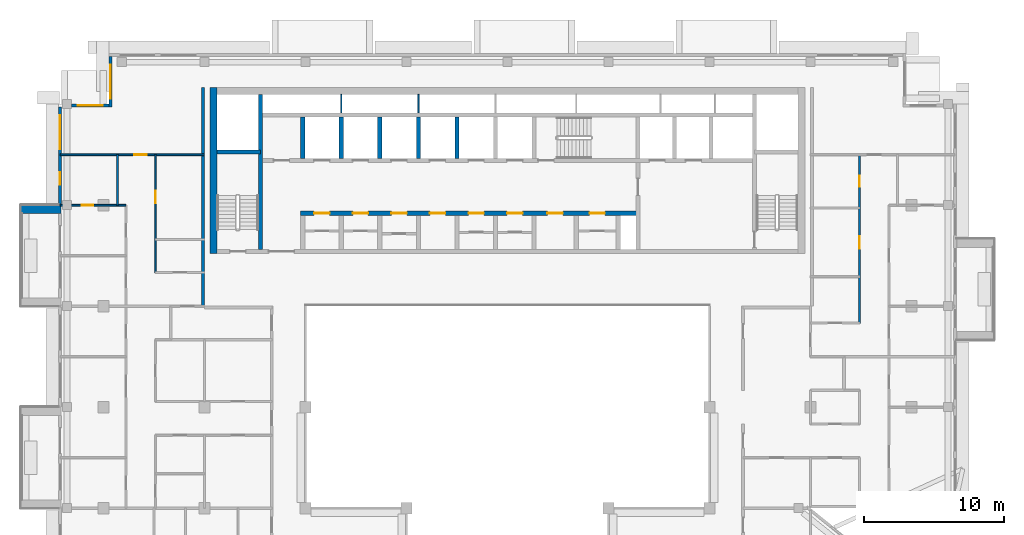
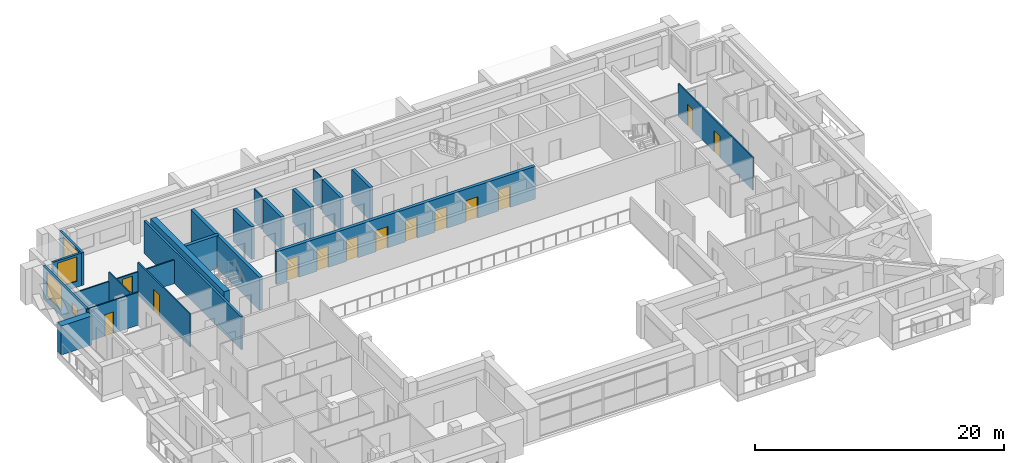
# One storey, part 10 of 19: 21 walls, 13 doors, 4 windows, 17 openings.
"""IFC4 building model written with IfcOpenShell, lengths in metres."""

import ifcopenshell
import ifcopenshell.guid

model = None  # the IFC model being written
_history = None  # IfcOwnerHistory: only IFC2X3 demands one
_inside = {}  # id of a spatial element -> (the spatial element, [elements in it])
_under = {}  # id of a project, library or spatial element -> (it, [spatial elements below it])
_declared = {}  # id of a project -> (the project, [libraries it declares])
_typed = {}  # id of a type object -> (the type object, [elements of that type])
_made_of = {}  # id of a material, layer set ... -> (it, [elements and type objects made of it])


def new_model(schema):
    """Start an empty IFC model of exactly this schema.

    Asked for "IFC4X3", IfcOpenShell would pick the latest addendum, in which some entities
    have other attributes; the version numbers below select the first issue.
    IFC2X3 requires an IfcOwnerHistory on every rooted entity: one is made here for all.
    """
    global model, _history
    if schema == "IFC4X3":
        model = ifcopenshell.file(schema_version=(4, 3, 0, 0))
    else:
        model = ifcopenshell.file(schema=schema)
    _inside.clear()
    _under.clear()
    _declared.clear()
    _typed.clear()
    _made_of.clear()
    _history = None
    if model.schema == "IFC2X3":
        org = make("IfcOrganization", Name="unknown")
        user = make(
            "IfcPersonAndOrganization",
            ThePerson=make("IfcPerson", FamilyName="unknown"),
            TheOrganization=org,
        )
        app = make(
            "IfcApplication",
            ApplicationDeveloper=org,
            Version="unknown",
            ApplicationFullName="unknown",
            ApplicationIdentifier="unknown",
        )
        _history = make(
            "IfcOwnerHistory",
            OwningUser=user,
            OwningApplication=app,
            ChangeAction="ADDED",
            CreationDate=0,
        )
    return model


def make(cls, **values):
    """One entity of the class cls with the attributes given. An attribute that is None is left unset."""
    return model.create_entity(
        cls, **{name: value for name, value in values.items() if value is not None}
    )


def rooted(cls, **values):
    """An entity with a GlobalId (a new one), such as an element, a storey or a relation."""
    return make(cls, GlobalId=ifcopenshell.guid.new(), OwnerHistory=_history, **values)


def si_unit(unit_type, name, prefix=None):
    """IfcSIUnit, for example si_unit("LENGTHUNIT", "METRE", prefix="MILLI")."""
    return make("IfcSIUnit", UnitType=unit_type, Prefix=prefix, Name=name)


def assignment(units):
    """IfcUnitAssignment: the units of a project."""
    return None if units is None else make("IfcUnitAssignment", Units=units)


def point(xyz):
    """IfcCartesianPoint."""
    return None if xyz is None else make("IfcCartesianPoint", Coordinates=xyz)


def direction(xyz):
    """IfcDirection."""
    return None if xyz is None else make("IfcDirection", DirectionRatios=xyz)


def frame(location, z_axis=None, x_axis=None):
    """IfcAxis2Placement3D, a coordinate frame: its origin and axes. An axis left out is left unset."""
    return make(
        "IfcAxis2Placement3D",
        Location=point(location),
        Axis=direction(z_axis),
        RefDirection=direction(x_axis),
    )


def frame_2d(location, x_axis=None):
    """IfcAxis2Placement2D, a coordinate frame in the plane: its origin and x axis."""
    return make(
        "IfcAxis2Placement2D", Location=point(location), RefDirection=direction(x_axis)
    )


def origin():
    """The frame at (0, 0, 0) with its axes left unset."""
    return frame((0.0, 0.0, 0.0))


def place(relative_to, where):
    """IfcLocalPlacement: puts the frame where relative to a parent placement (None: the world)."""
    return make(
        "IfcLocalPlacement", PlacementRelTo=relative_to, RelativePlacement=where
    )


def context(
    kind, dimensions, precision=None, world=None, true_north=None, identifier=None
):
    """IfcGeometricRepresentationContext, for example the 3D "Model" context."""
    return make(
        "IfcGeometricRepresentationContext",
        ContextIdentifier=identifier,
        ContextType=kind,
        CoordinateSpaceDimension=dimensions,
        Precision=precision,
        WorldCoordinateSystem=world,
        TrueNorth=true_north,
    )


def subcontext(parent, identifier, kind, view, scale=None):
    """IfcGeometricRepresentationSubContext, for example "Body" below "Model"."""
    return make(
        "IfcGeometricRepresentationSubContext",
        ContextIdentifier=identifier,
        ContextType=kind,
        ParentContext=parent,
        TargetScale=scale,
        TargetView=view,
    )


def project(units=None, contexts=None):
    """IfcProject with its units and contexts."""
    return rooted(
        "IfcProject",
        Name="project",
        RepresentationContexts=contexts,
        UnitsInContext=assignment(units),
    )


def spatial(cls, under=None, at=None, **own):
    """A site, building, storey or space (cls), placed at a placement, below another one or the project."""
    s = rooted(cls, ObjectPlacement=at, **own)
    if under is not None:
        _under.setdefault(under.id(), (under, []))[1].append(s)
    return s


def profile(cls, at=None, kind="AREA", **sizes):
    """A parametric profile (cls). Its sizes go by their IFC names, for example OverallWidth=200.0."""
    return make(cls, ProfileType=kind, Position=at, **sizes)


def rectangle(**sizes):
    """IfcRectangleProfileDef."""
    return profile("IfcRectangleProfileDef", **sizes)


def extrude(swept, where, along, depth):
    """IfcExtrudedAreaSolid: the profile swept, set in the frame where, extruded along a direction by depth."""
    return make(
        "IfcExtrudedAreaSolid",
        SweptArea=swept,
        Position=where,
        ExtrudedDirection=direction(along),
        Depth=depth,
    )


def shape(context_of_items, identifier, shape_type, items):
    """IfcShapeRepresentation: the items that make up one representation, for example the "Body"."""
    return make(
        "IfcShapeRepresentation",
        ContextOfItems=context_of_items,
        RepresentationIdentifier=identifier,
        RepresentationType=shape_type,
        Items=items,
    )


def material(Name=None, Category=None):
    """IfcMaterial."""
    return make("IfcMaterial", Name=Name, Category=Category)


def layer(
    of_material, thickness, ventilated=None, Name=None, Category=None, Priority=None
):
    """IfcMaterialLayer: one layer of a wall or slab, of a material (None: an air gap)."""
    return make(
        "IfcMaterialLayer",
        Material=of_material,
        LayerThickness=thickness,
        IsVentilated=ventilated,
        Name=Name,
        Category=Category,
        Priority=Priority,
    )


def layer_set(layers, Name=None):
    """IfcMaterialLayerSet."""
    return make("IfcMaterialLayerSet", MaterialLayers=layers, LayerSetName=Name)


def made_of(thing, what):
    """Note that an element or type object is made of a material, layer set ...; save() writes the relation."""
    if what is not None:
        _made_of.setdefault(what.id(), (what, []))[1].append(thing)
    return thing


def type_object(cls, material=None, **own):
    """A type object (cls), such as IfcWallType, which elements share."""
    return made_of(rooted(cls, **own), material)


def element(
    cls,
    number,
    at=None,
    inside=None,
    cuts=None,
    type_object=None,
    material=None,
    context=None,
    identifier="Body",
    shape_type=None,
    held_by="IfcProductDefinitionShape",
    body=None,
    shapes=None,
    **own,
):
    """One element of the class cls, such as IfcWall. Its Tag is "e" and its number.

    at: its placement. inside: the storey or other place that contains it. cuts: it is an
    opening in that element (IfcRelVoidsElement). A single representation is given by context,
    identifier, shape_type and body (its items); several are given by shapes. held_by: the class
    of the entity that holds the representations. save() writes the other relations.
    """
    e = rooted(cls, Tag="e%d" % number, ObjectPlacement=at, **own)
    if body is not None:
        shapes = [shape(context, identifier, shape_type, body)]
    if shapes is not None:
        e.Representation = make(held_by, Representations=shapes)
    if inside is not None:
        _inside.setdefault(inside.id(), (inside, []))[1].append(e)
    if cuts is not None:
        rooted(
            "IfcRelVoidsElement", RelatingBuildingElement=cuts, RelatedOpeningElement=e
        )
    if type_object is not None:
        _typed.setdefault(type_object.id(), (type_object, []))[1].append(e)
    return made_of(e, material)


def fill(opening, filler):
    """IfcRelFillsElement: the door or window that sits in an opening."""
    return rooted(
        "IfcRelFillsElement",
        RelatingOpeningElement=opening,
        RelatedBuildingElement=filler,
    )


def aggregate(whole, parts):
    """IfcRelAggregates: a whole, such as a stair, and the parts it consists of."""
    return rooted("IfcRelAggregates", RelatingObject=whole, RelatedObjects=parts)


def save(model, path):
    """Write the relations noted so far, then the file.

    IfcRelAggregates (storeys below a building ...), IfcRelContainedInSpatialStructure (elements
    in a storey), IfcRelDefinesByType, IfcRelAssociatesMaterial and IfcRelDeclares: one each for
    every whole, place, type object, material and project.
    """
    for whole, parts in _under.values():
        aggregate(whole, parts)
    for where, things in _inside.values():
        rooted(
            "IfcRelContainedInSpatialStructure",
            RelatedElements=things,
            RelatingStructure=where,
        )
    for kind, things in _typed.values():
        rooted("IfcRelDefinesByType", RelatedObjects=things, RelatingType=kind)
    for what, things in _made_of.values():
        rooted("IfcRelAssociatesMaterial", RelatedObjects=things, RelatingMaterial=what)
    for by, libraries in _declared.values():
        rooted("IfcRelDeclares", RelatingContext=by, RelatedDefinitions=libraries)
    model.write(path)


model = new_model("IFC4")

# Units and contexts
model_context = context("Model", 3, precision=1e-05, world=origin(), true_north=direction((0.0, 1.0)))
body_context = subcontext(model_context, "Body", "Model", "MODEL_VIEW")
ifc_project = project(units=[si_unit("LENGTHUNIT", "METRE"), si_unit("AREAUNIT", "SQUARE_METRE"), si_unit("VOLUMEUNIT", "CUBIC_METRE"), si_unit("PLANEANGLEUNIT", "RADIAN"), si_unit("MASSUNIT", "GRAM", prefix="KILO")], contexts=[model_context])

# Site, building, storey
site_placement = place(None, origin())
site = spatial("IfcSite", under=ifc_project, at=site_placement, CompositionType="ELEMENT")
building_placement = place(site_placement, origin())
building = spatial("IfcBuilding", under=site, at=building_placement, Name="Saffron Iwan Residences", CompositionType="ELEMENT")
storey_placement = place(building_placement, frame((0.0, 0.0, 246.5)))
storey = spatial("IfcBuildingStorey", under=building, at=storey_placement, Name="L66", CompositionType="ELEMENT", Elevation=246.5)

# Wall
ifc_material_1 = material(Name="Concrete C50/60 white painted", Category="concrete")
ifc_layer_1 = layer(ifc_material_1, 0.60009765625)
ifc_layer_set_1 = layer_set([ifc_layer_1], Name="Concrete C50/60 white painted")
wall_type_1 = type_object("IfcWallType", Name="BALCONY FIN 600", PredefinedType="SOLIDWALL", material=ifc_layer_set_1)
wall_1_placement = place(storey_placement, frame((18.574951171875, 69.300048828125, 0.0), z_axis=(0.0, 0.0, 1.0), x_axis=(-1.0, 0.0, 0.0)))
element("IfcWall", 1, at=wall_1_placement, inside=storey, type_object=wall_type_1, Name="Balcony fin L66 F8-0a", PredefinedType="SOLIDWALL", context=body_context, shape_type="SweptSolid", body=[
    extrude(rectangle(XDim=2.875, YDim=0.60009765625, at=frame_2d((1.4375, 0.0))), origin(), (0.0, 0.0, 1.0), 2.85009765625),
])

# Wall, opening, window
ifc_material_2 = material(Name="Concrete C40/50", Category="concrete")
ifc_layer_2 = layer(ifc_material_2, 0.199951171875)
ifc_layer_set_2 = layer_set([ifc_layer_2], Name="Concrete C40/50")
wall_type_2 = type_object("IfcWallType", Name="EXTERNAL WALL 200", PredefinedType="SOLIDWALL", material=ifc_layer_set_2)
wall_2_placement = place(storey_placement, frame((22.10009765625, 80.199951171875, 0.0), z_axis=(0.0, 0.0, 1.0), x_axis=(0.0, -1.0, 0.0)))
wall_2 = element("IfcWall", 2, at=wall_2_placement, inside=storey, type_object=wall_type_2, Name="External wall L66 F6.0", PredefinedType="SOLIDWALL", context=body_context, shape_type="SweptSolid", body=[
    extrude(rectangle(XDim=3.599853515625, YDim=0.199951171875, at=frame_2d((1.7998046875, 0.0))), origin(), (0.0, 0.0, 1.0), 3.219970703125),
])
opening_1_placement = place(wall_2_placement, frame((0.60009765625, 0.0, 0.60009765625)))
opening_1 = element("IfcOpeningElement", 3, at=opening_1_placement, cuts=wall_2, Name="Opening W1", PredefinedType="OPENING", context=body_context, shape_type="SweptSolid", body=[
    extrude(rectangle(XDim=2.39990234375, YDim=2.39990234375, at=frame_2d((1.199951171875, 1.199951171875))), frame((0.0, 0.10986328125, 0.0), z_axis=(0.0, -1.0, 0.0), x_axis=(1.0, 0.0, 0.0)), (0.0, 0.0, 1.0), 0.219970703125),
])
ifc_material_3 = material(Name="Clear glass, laminated double glazed", Category="glass")
window_type_1 = type_object("IfcWindowType", Name="WINDOW 2400 x 2400", PartitioningType="DOUBLE_PANEL_VERTICAL", PredefinedType="WINDOW", material=ifc_material_3)
window_1_placement = place(opening_1_placement, origin())
window_1 = element("IfcWindow", 4, at=window_1_placement, inside=storey, type_object=window_type_1, Name="Window L66 F6.0", OverallHeight=2.39990234375, OverallWidth=2.39990234375, PartitioningType="DOUBLE_PANEL_VERTICAL", PredefinedType="WINDOW", context=body_context, shape_type="SweptSolid", body=[
    extrude(rectangle(XDim=2.39990234375, YDim=2.39990234375, at=frame_2d((1.199951171875, 1.199951171875))), frame((0.0, 0.030029296875, 0.0), z_axis=(0.0, -1.0, 0.0), x_axis=(1.0, 0.0, 0.0)), (0.0, 0.0, 1.0), 0.06005859375),
])
fill(opening_1, window_1)

wall_3_placement = place(storey_placement, frame((22.0, 76.699951171875, 0.0), z_axis=(0.0, 0.0, 1.0), x_axis=(-1.0, 0.0, 0.0)))
wall_3 = element("IfcWall", 5, at=wall_3_placement, inside=storey, type_object=wall_type_2, Name="External wall L66 F7.0", PredefinedType="SOLIDWALL", context=body_context, shape_type="SweptSolid", body=[
    extrude(rectangle(XDim=2.675048828125, YDim=0.199951171875, at=frame_2d((1.33740234375, 0.0))), origin(), (0.0, 0.0, 1.0), 3.219970703125),
])
opening_2_placement = place(wall_3_placement, frame((0.4375, 0.0, 0.60009765625)))
opening_2 = element("IfcOpeningElement", 6, at=opening_2_placement, cuts=wall_3, Name="Opening W8", PredefinedType="OPENING", context=body_context, shape_type="SweptSolid", body=[
    extrude(rectangle(XDim=1.800048828125, YDim=2.39990234375, at=frame_2d((0.89990234375, 1.199951171875))), frame((0.0, 0.10986328125, 0.0), z_axis=(0.0, -1.0, 0.0), x_axis=(1.0, 0.0, 0.0)), (0.0, 0.0, 1.0), 0.219970703125),
])
window_type_2 = type_object("IfcWindowType", Name="WINDOW 1800 x 2400", PartitioningType="DOUBLE_PANEL_VERTICAL", PredefinedType="WINDOW", material=ifc_material_3)
window_2_placement = place(opening_2_placement, origin())
window_2 = element("IfcWindow", 7, at=window_2_placement, inside=storey, type_object=window_type_2, Name="Window L66 F7.0", OverallHeight=2.39990234375, OverallWidth=1.800048828125, PartitioningType="DOUBLE_PANEL_VERTICAL", PredefinedType="WINDOW", context=body_context, shape_type="SweptSolid", body=[
    extrude(rectangle(XDim=1.800048828125, YDim=2.39990234375, at=frame_2d((0.89990234375, 1.199951171875))), frame((0.0, 0.030029296875, 0.0), z_axis=(0.0, -1.0, 0.0), x_axis=(1.0, 0.0, 0.0)), (0.0, 0.0, 1.0), 0.06005859375),
])
fill(opening_2, window_2)

# Wall, openings, windows
wall_4_placement = place(storey_placement, frame((18.5, 76.60009765625, 0.0), z_axis=(0.0, 0.0, 1.0), x_axis=(0.0, -1.0, 0.0)))
wall_4 = element("IfcWall", 8, at=wall_4_placement, inside=storey, type_object=wall_type_2, Name="External wall L66 F8.0", PredefinedType="SOLIDWALL", context=body_context, shape_type="SweptSolid", body=[
    extrude(rectangle(XDim=7.0, YDim=0.199951171875, at=frame_2d((3.5, 0.0))), origin(), (0.0, 0.0, 1.0), 3.219970703125),
])
opening_3_placement = place(wall_4_placement, frame((4.64990234375, 0.0, 1.5)))
opening_3 = element("IfcOpeningElement", 9, at=opening_3_placement, cuts=wall_4, Name="Opening W6", PredefinedType="OPENING", context=body_context, shape_type="SweptSolid", body=[
    extrude(rectangle(XDim=0.89990234375, YDim=0.89990234375, at=frame_2d((0.449951171875, 0.449951171875))), frame((0.0, 0.10986328125, 0.0), z_axis=(0.0, -1.0, 0.0), x_axis=(1.0, 0.0, 0.0)), (0.0, 0.0, 1.0), 0.219970703125),
])
opening_4_placement = place(wall_4_placement, frame((0.60009765625, 0.0, 0.60009765625)))
opening_4 = element("IfcOpeningElement", 10, at=opening_4_placement, cuts=wall_4, Name="Opening W1", PredefinedType="OPENING", context=body_context, shape_type="SweptSolid", body=[
    extrude(rectangle(XDim=2.39990234375, YDim=2.39990234375, at=frame_2d((1.199951171875, 1.199951171875))), frame((0.0, 0.10986328125, 0.0), z_axis=(0.0, -1.0, 0.0), x_axis=(1.0, 0.0, 0.0)), (0.0, 0.0, 1.0), 0.219970703125),
])
window_3_placement = place(opening_4_placement, origin())
window_3 = element("IfcWindow", 11, at=window_3_placement, inside=storey, type_object=window_type_1, Name="Window L66 F8.1", OverallHeight=2.39990234375, OverallWidth=2.39990234375, PartitioningType="DOUBLE_PANEL_VERTICAL", PredefinedType="WINDOW", context=body_context, shape_type="SweptSolid", body=[
    extrude(rectangle(XDim=2.39990234375, YDim=2.39990234375, at=frame_2d((1.199951171875, 1.199951171875))), frame((0.0, 0.030029296875, 0.0), z_axis=(0.0, -1.0, 0.0), x_axis=(1.0, 0.0, 0.0)), (0.0, 0.0, 1.0), 0.06005859375),
])
fill(opening_4, window_3)
window_type_3 = type_object("IfcWindowType", Name="WINDOW 900 x 900 BATH", PartitioningType="SINGLE_PANEL", PredefinedType="WINDOW", material=ifc_material_3)
window_4_placement = place(opening_3_placement, origin())
window_4 = element("IfcWindow", 12, at=window_4_placement, inside=storey, type_object=window_type_3, Name="Window L66 F8.0", OverallHeight=0.89990234375, OverallWidth=0.89990234375, PartitioningType="SINGLE_PANEL", PredefinedType="WINDOW", context=body_context, shape_type="SweptSolid", body=[
    extrude(rectangle(XDim=0.89990234375, YDim=0.89990234375, at=frame_2d((0.449951171875, 0.449951171875))), frame((0.0, 0.030029296875, 0.0), z_axis=(0.0, -1.0, 0.0), x_axis=(1.0, 0.0, 0.0)), (0.0, 0.0, 1.0), 0.06005859375),
])
fill(opening_3, window_4)

# Wall, opening, door
ifc_material_4 = material(Name="Gypsum board partition")
ifc_layer_3 = layer(ifc_material_4, 0.1201171875)
ifc_layer_set_3 = layer_set([ifc_layer_3], Name="Gypsum board partition")
wall_type_3 = type_object("IfcWallType", Name="Flat partition 120", PredefinedType="PARTITIONING", material=ifc_layer_set_3)
wall_5_placement = place(storey_placement, frame((18.52490234375, 69.60009765625, 0.0), z_axis=(0.0, 0.0, 1.0), x_axis=(1.0, 0.0, 0.0)))
wall_5 = element("IfcWall", 13, at=wall_5_placement, inside=storey, type_object=wall_type_3, Name="W-L66-PART-h69.6-18.525", PredefinedType="PARTITIONING", context=body_context, shape_type="SweptSolid", body=[
    extrude(rectangle(XDim=4.675048828125, YDim=0.1201171875, at=frame_2d((2.33740234375, 0.0))), origin(), (0.0, 0.0, 1.0), 3.219970703125),
])
opening_5_placement = place(wall_5_placement, frame((1.53759765625, 0.0, 0.0)))
opening_5 = element("IfcOpeningElement", 14, at=opening_5_placement, cuts=wall_5, Name="Opening FD3", PredefinedType="OPENING", context=body_context, shape_type="SweptSolid", body=[
    extrude(rectangle(XDim=0.800048828125, YDim=2.10009765625, at=frame_2d((0.39990234375, 1.050048828125))), frame((0.0, 0.070068359375, 0.0), z_axis=(0.0, -1.0, 0.0), x_axis=(1.0, 0.0, 0.0)), (0.0, 0.0, 1.0), 0.14013671875),
])
ifc_material_5 = material(Name="Timber door", Category="wood")
door_type_1 = type_object("IfcDoorType", Name="Bathroom door 800", OperationType="NOTDEFINED", PredefinedType="DOOR", material=ifc_material_5)
door_1_placement = place(opening_5_placement, origin())
door_1 = element("IfcDoor", 15, at=door_1_placement, inside=storey, type_object=door_type_1, Name="Door L66-027", OperationType="SINGLE_SWING_RIGHT", OverallHeight=2.10009765625, OverallWidth=0.800048828125, PredefinedType="DOOR", context=body_context, shape_type="SweptSolid", body=[
    extrude(rectangle(XDim=0.800048828125, YDim=2.10009765625, at=frame_2d((0.39990234375, 1.050048828125))), frame((0.0, 0.02490234375, 0.0), z_axis=(0.0, -1.0, 0.0), x_axis=(1.0, 0.0, 0.0)), (0.0, 0.0, 1.0), 0.050048828125),
])
fill(opening_5, door_1)

wall_6_placement = place(storey_placement, frame((18.52490234375, 73.199951171875, 0.0), z_axis=(0.0, 0.0, 1.0), x_axis=(1.0, 0.0, 0.0)))
wall_6 = element("IfcWall", 16, at=wall_6_placement, inside=storey, type_object=wall_type_3, Name="W-L66-PART-h73.2-18.525", PredefinedType="PARTITIONING", context=body_context, shape_type="SweptSolid", body=[
    extrude(rectangle(XDim=10.275146484375, YDim=0.1201171875, at=frame_2d((5.1376953125, 0.0))), origin(), (0.0, 0.0, 1.0), 2.320068359375),
])
opening_6_placement = place(wall_6_placement, frame((5.27490234375, 0.0, 0.0)))
opening_6 = element("IfcOpeningElement", 17, at=opening_6_placement, cuts=wall_6, Name="Opening FD2", PredefinedType="OPENING", context=body_context, shape_type="SweptSolid", body=[
    extrude(rectangle(XDim=0.89990234375, YDim=2.10009765625, at=frame_2d((0.449951171875, 1.050048828125))), frame((0.0, 0.070068359375, 0.0), z_axis=(0.0, -1.0, 0.0), x_axis=(1.0, 0.0, 0.0)), (0.0, 0.0, 1.0), 0.14013671875),
])
door_type_2 = type_object("IfcDoorType", Name="Flat door 900", OperationType="NOTDEFINED", PredefinedType="DOOR", material=ifc_material_5)
door_2_placement = place(opening_6_placement, origin())
door_2 = element("IfcDoor", 18, at=door_2_placement, inside=storey, type_object=door_type_2, Name="Door L66-028", OperationType="SINGLE_SWING_RIGHT", OverallHeight=2.10009765625, OverallWidth=0.89990234375, PredefinedType="DOOR", context=body_context, shape_type="SweptSolid", body=[
    extrude(rectangle(XDim=0.89990234375, YDim=2.10009765625, at=frame_2d((0.449951171875, 1.050048828125))), frame((0.0, 0.02490234375, 0.0), z_axis=(0.0, -1.0, 0.0), x_axis=(1.0, 0.0, 0.0)), (0.0, 0.0, 1.0), 0.050048828125),
])
fill(opening_6, door_2)

# Wall
wall_7_placement = place(storey_placement, frame((22.60009765625, 69.60009765625, 0.0), z_axis=(0.0, 0.0, 1.0), x_axis=(0.0, 1.0, 0.0)))
element("IfcWall", 19, at=wall_7_placement, inside=storey, type_object=wall_type_3, Name="W-L66-PART-v22.6-69.6", PredefinedType="PARTITIONING", context=body_context, shape_type="SweptSolid", body=[
    extrude(rectangle(XDim=3.599853515625, YDim=0.1201171875, at=frame_2d((1.7998046875, 0.0))), origin(), (0.0, 0.0, 1.0), 3.219970703125),
])

# Wall, opening, door
wall_8_placement = place(storey_placement, frame((25.300048828125, 64.800048828125, 0.0), z_axis=(0.0, 0.0, 1.0), x_axis=(0.0, 1.0, 0.0)))
wall_8 = element("IfcWall", 20, at=wall_8_placement, inside=storey, type_object=wall_type_3, Name="W-L66-PART-v25.3-64.8", PredefinedType="PARTITIONING", context=body_context, shape_type="SweptSolid", body=[
    extrude(rectangle(XDim=8.39990234375, YDim=0.1201171875, at=frame_2d((4.199951171875, 0.0))), origin(), (0.0, 0.0, 1.0), 3.219970703125),
])
opening_7_placement = place(wall_8_placement, frame((4.925048828125, 0.0, 0.0)))
opening_7 = element("IfcOpeningElement", 21, at=opening_7_placement, cuts=wall_8, Name="Opening FD2", PredefinedType="OPENING", context=body_context, shape_type="SweptSolid", body=[
    extrude(rectangle(XDim=0.89990234375, YDim=2.10009765625, at=frame_2d((0.449951171875, 1.050048828125))), frame((0.0, 0.070068359375, 0.0), z_axis=(0.0, -1.0, 0.0), x_axis=(1.0, 0.0, 0.0)), (0.0, 0.0, 1.0), 0.14013671875),
])
door_3_placement = place(opening_7_placement, origin())
door_3 = element("IfcDoor", 22, at=door_3_placement, inside=storey, type_object=door_type_2, Name="Door L66-030", OperationType="SINGLE_SWING_LEFT", OverallHeight=2.10009765625, OverallWidth=0.89990234375, PredefinedType="DOOR", context=body_context, shape_type="SweptSolid", body=[
    extrude(rectangle(XDim=0.89990234375, YDim=2.10009765625, at=frame_2d((0.449951171875, 1.050048828125))), frame((0.0, 0.02490234375, 0.0), z_axis=(0.0, -1.0, 0.0), x_axis=(1.0, 0.0, 0.0)), (0.0, 0.0, 1.0), 0.050048828125),
])
fill(opening_7, door_3)

# Wall, openings, doors
wall_9_placement = place(storey_placement, frame((75.5, 61.199951171875, 0.0), z_axis=(0.0, 0.0, 1.0), x_axis=(0.0, 1.0, 0.0)))
wall_9 = element("IfcWall", 23, at=wall_9_placement, inside=storey, type_object=wall_type_3, Name="W-L66-PART-v75.5-61.2", PredefinedType="PARTITIONING", context=body_context, shape_type="SweptSolid", body=[
    extrude(rectangle(XDim=12.0, YDim=0.1201171875, at=frame_2d((6.0, 0.0))), origin(), (0.0, 0.0, 1.0), 3.219970703125),
])
opening_8_placement = place(wall_9_placement, frame((5.300048828125, 0.0, 0.0)))
opening_8 = element("IfcOpeningElement", 24, at=opening_8_placement, cuts=wall_9, Name="Opening FD2", PredefinedType="OPENING", context=body_context, shape_type="SweptSolid", body=[
    extrude(rectangle(XDim=0.89990234375, YDim=2.10009765625, at=frame_2d((0.449951171875, 1.050048828125))), frame((0.0, 0.070068359375, 0.0), z_axis=(0.0, -1.0, 0.0), x_axis=(1.0, 0.0, 0.0)), (0.0, 0.0, 1.0), 0.14013671875),
])
opening_9_placement = place(wall_9_placement, frame((9.699951171875, 0.0, 0.0)))
opening_9 = element("IfcOpeningElement", 25, at=opening_9_placement, cuts=wall_9, Name="Opening FD3", PredefinedType="OPENING", context=body_context, shape_type="SweptSolid", body=[
    extrude(rectangle(XDim=0.800048828125, YDim=2.10009765625, at=frame_2d((0.39990234375, 1.050048828125))), frame((0.0, 0.070068359375, 0.0), z_axis=(0.0, -1.0, 0.0), x_axis=(1.0, 0.0, 0.0)), (0.0, 0.0, 1.0), 0.14013671875),
])
door_4_placement = place(opening_9_placement, origin())
door_4 = element("IfcDoor", 26, at=door_4_placement, inside=storey, type_object=door_type_1, Name="Door L66-039", OperationType="SINGLE_SWING_LEFT", OverallHeight=2.10009765625, OverallWidth=0.800048828125, PredefinedType="DOOR", context=body_context, shape_type="SweptSolid", body=[
    extrude(rectangle(XDim=0.800048828125, YDim=2.10009765625, at=frame_2d((0.39990234375, 1.050048828125))), frame((0.0, 0.02490234375, 0.0), z_axis=(0.0, -1.0, 0.0), x_axis=(1.0, 0.0, 0.0)), (0.0, 0.0, 1.0), 0.050048828125),
])
fill(opening_9, door_4)
door_5_placement = place(opening_8_placement, origin())
door_5 = element("IfcDoor", 27, at=door_5_placement, inside=storey, type_object=door_type_2, Name="Door L66-038", OperationType="SINGLE_SWING_LEFT", OverallHeight=2.10009765625, OverallWidth=0.89990234375, PredefinedType="DOOR", context=body_context, shape_type="SweptSolid", body=[
    extrude(rectangle(XDim=0.89990234375, YDim=2.10009765625, at=frame_2d((0.449951171875, 1.050048828125))), frame((0.0, 0.02490234375, 0.0), z_axis=(0.0, -1.0, 0.0), x_axis=(1.0, 0.0, 0.0)), (0.0, 0.0, 1.0), 0.050048828125),
])
fill(opening_8, door_5)

# Walls
ifc_material_6 = material(Name="Fire-rated gypsum board wall")
ifc_layer_4 = layer(ifc_material_6, 0.199951171875)
ifc_layer_set_4 = layer_set([ifc_layer_4], Name="Fire-rated gypsum board wall")
wall_type_4 = type_object("IfcWallType", Name="Gallery wall 200", PredefinedType="SOLIDWALL", material=ifc_layer_set_4)
wall_10_placement = place(storey_placement, frame((28.699951171875, 62.39990234375, 0.0), z_axis=(0.0, 0.0, 1.0), x_axis=(0.0, 1.0, 0.0)))
element("IfcWall", 28, at=wall_10_placement, inside=storey, type_object=wall_type_4, Name="W-L66-CORR-v28.8-62.4", PredefinedType="SOLIDWALL", context=body_context, shape_type="SweptSolid", body=[
    extrude(rectangle(XDim=15.60009765625, YDim=0.199951171875, at=frame_2d((7.800048828125, 0.0))), origin(), (0.0, 0.0, 1.0), 3.219970703125),
])
ifc_material_7 = material(Name="Fire-rated plasterboard partition")
ifc_layer_5 = layer(ifc_material_7, 0.10009765625)
ifc_layer_set_5 = layer_set([ifc_layer_5], Name="Fire-rated plasterboard partition")
wall_type_5 = type_object("IfcWallType", Name="Riser partition 100", PredefinedType="PARTITIONING", material=ifc_layer_set_5)
for number, where, z_axis, x_axis, name in (
    (29, (38.550048828125, 76.175048828125, 0.0), (0.0, 0.0, 1.0), (0.0, 1.0, 0.0), "Core partition P07"),
    (30, (44.050048828125, 76.175048828125, 0.0), (0.0, 0.0, 1.0), (0.0, 1.0, 0.0), "Core partition P08"),
):
    element("IfcWall", number, at=place(storey_placement, frame(where, z_axis=z_axis, x_axis=x_axis)), inside=storey, type_object=wall_type_5, Name=name, PredefinedType="PARTITIONING", context=body_context, shape_type="SweptSolid", body=[
        extrude(rectangle(XDim=1.324951171875, YDim=0.10009765625, at=frame_2d((0.66259765625, 0.0))), origin(), (0.0, 0.0, 1.0), 3.219970703125),
    ])

# Wall, openings, doors
ifc_layer_6 = layer(ifc_material_2, 0.300048828125)
ifc_layer_set_6 = layer_set([ifc_layer_6], Name="Concrete C40/50")
wall_type_6 = type_object("IfcWallType", Name="WALL CORE 300 C40/50 3220 HIGH", PredefinedType="SHEAR", material=ifc_layer_set_6)
wall_11_placement = place(storey_placement, frame((35.64990234375, 69.02490234375, 0.0), z_axis=(0.0, 0.0, 1.0), x_axis=(1.0, 0.0, 0.0)))
wall_11 = element("IfcWall", 31, at=wall_11_placement, inside=storey, type_object=wall_type_6, Name="Core wall", PredefinedType="SHEAR", context=body_context, shape_type="SweptSolid", body=[
    extrude(rectangle(XDim=24.050048828125, YDim=0.300048828125, at=frame_2d((12.02490234375, 0.0))), origin(), (0.0, 0.0, 1.0), 3.219970703125),
])
opening_10_placement = place(wall_11_placement, frame((0.97509765625, 0.0, 0.0)))
opening_10 = element("IfcOpeningElement", 32, at=opening_10_placement, cuts=wall_11, Name="Opening SR", PredefinedType="OPENING", context=body_context, shape_type="SweptSolid", body=[
    extrude(rectangle(XDim=1.10009765625, YDim=2.10009765625, at=frame_2d((0.550048828125, 1.050048828125))), frame((0.0, 0.16015625, 0.0), z_axis=(0.0, -1.0, 0.0), x_axis=(1.0, 0.0, 0.0)), (0.0, 0.0, 1.0), 0.320068359375),
])
opening_11_placement = place(wall_11_placement, frame((3.72509765625, 0.0, 0.0)))
opening_11 = element("IfcOpeningElement", 33, at=opening_11_placement, cuts=wall_11, Name="Opening SR", PredefinedType="OPENING", context=body_context, shape_type="SweptSolid", body=[
    extrude(rectangle(XDim=1.10009765625, YDim=2.10009765625, at=frame_2d((0.550048828125, 1.050048828125))), frame((0.0, 0.16015625, 0.0), z_axis=(0.0, -1.0, 0.0), x_axis=(1.0, 0.0, 0.0)), (0.0, 0.0, 1.0), 0.320068359375),
])
opening_12_placement = place(wall_11_placement, frame((6.47509765625, 0.0, 0.0)))
opening_12 = element("IfcOpeningElement", 34, at=opening_12_placement, cuts=wall_11, Name="Opening SR", PredefinedType="OPENING", context=body_context, shape_type="SweptSolid", body=[
    extrude(rectangle(XDim=1.10009765625, YDim=2.10009765625, at=frame_2d((0.550048828125, 1.050048828125))), frame((0.0, 0.16015625, 0.0), z_axis=(0.0, -1.0, 0.0), x_axis=(1.0, 0.0, 0.0)), (0.0, 0.0, 1.0), 0.320068359375),
])
opening_13_placement = place(wall_11_placement, frame((9.22509765625, 0.0, 0.0)))
opening_13 = element("IfcOpeningElement", 35, at=opening_13_placement, cuts=wall_11, Name="Opening SR", PredefinedType="OPENING", context=body_context, shape_type="SweptSolid", body=[
    extrude(rectangle(XDim=1.10009765625, YDim=2.10009765625, at=frame_2d((0.550048828125, 1.050048828125))), frame((0.0, 0.16015625, 0.0), z_axis=(0.0, -1.0, 0.0), x_axis=(1.0, 0.0, 0.0)), (0.0, 0.0, 1.0), 0.320068359375),
])
opening_14_placement = place(wall_11_placement, frame((11.97509765625, 0.0, 0.0)))
opening_14 = element("IfcOpeningElement", 36, at=opening_14_placement, cuts=wall_11, Name="Opening SR", PredefinedType="OPENING", context=body_context, shape_type="SweptSolid", body=[
    extrude(rectangle(XDim=1.10009765625, YDim=2.10009765625, at=frame_2d((0.550048828125, 1.050048828125))), frame((0.0, 0.16015625, 0.0), z_axis=(0.0, -1.0, 0.0), x_axis=(1.0, 0.0, 0.0)), (0.0, 0.0, 1.0), 0.320068359375),
])
opening_15_placement = place(wall_11_placement, frame((14.72509765625, 0.0, 0.0)))
opening_15 = element("IfcOpeningElement", 37, at=opening_15_placement, cuts=wall_11, Name="Opening SR", PredefinedType="OPENING", context=body_context, shape_type="SweptSolid", body=[
    extrude(rectangle(XDim=1.10009765625, YDim=2.10009765625, at=frame_2d((0.550048828125, 1.050048828125))), frame((0.0, 0.16015625, 0.0), z_axis=(0.0, -1.0, 0.0), x_axis=(1.0, 0.0, 0.0)), (0.0, 0.0, 1.0), 0.320068359375),
])
opening_16_placement = place(wall_11_placement, frame((17.60009765625, 0.0, 0.0)))
opening_16 = element("IfcOpeningElement", 38, at=opening_16_placement, cuts=wall_11, Name="Opening SR", PredefinedType="OPENING", context=body_context, shape_type="SweptSolid", body=[
    extrude(rectangle(XDim=1.10009765625, YDim=2.10009765625, at=frame_2d((0.550048828125, 1.050048828125))), frame((0.0, 0.16015625, 0.0), z_axis=(0.0, -1.0, 0.0), x_axis=(1.0, 0.0, 0.0)), (0.0, 0.0, 1.0), 0.320068359375),
])
opening_17_placement = place(wall_11_placement, frame((20.60009765625, 0.0, 0.0)))
opening_17 = element("IfcOpeningElement", 39, at=opening_17_placement, cuts=wall_11, Name="Opening SR", PredefinedType="OPENING", context=body_context, shape_type="SweptSolid", body=[
    extrude(rectangle(XDim=1.10009765625, YDim=2.10009765625, at=frame_2d((0.550048828125, 1.050048828125))), frame((0.0, 0.16015625, 0.0), z_axis=(0.0, -1.0, 0.0), x_axis=(1.0, 0.0, 0.0)), (0.0, 0.0, 1.0), 0.320068359375),
])
ifc_material_8 = material(Name="Steel fire door", Category="steel")
door_type_3 = type_object("IfcDoorType", Name="Service door 1100", OperationType="NOTDEFINED", PredefinedType="DOOR", material=ifc_material_8)
door_6_placement = place(opening_10_placement, origin())
door_6 = element("IfcDoor", 40, at=door_6_placement, inside=storey, type_object=door_type_3, Name="Door Maintenance store", OperationType="SINGLE_SWING_RIGHT", OverallHeight=2.10009765625, OverallWidth=1.10009765625, PredefinedType="DOOR", context=body_context, shape_type="SweptSolid", body=[
    extrude(rectangle(XDim=1.10009765625, YDim=2.10009765625, at=frame_2d((0.550048828125, 1.050048828125))), frame((0.0, 0.02490234375, 0.0), z_axis=(0.0, -1.0, 0.0), x_axis=(1.0, 0.0, 0.0)), (0.0, 0.0, 1.0), 0.050048828125),
])
fill(opening_10, door_6)
door_7_placement = place(opening_11_placement, origin())
door_7 = element("IfcDoor", 41, at=door_7_placement, inside=storey, type_object=door_type_3, Name="Door Linen store", OperationType="SINGLE_SWING_LEFT", OverallHeight=2.10009765625, OverallWidth=1.10009765625, PredefinedType="DOOR", context=body_context, shape_type="SweptSolid", body=[
    extrude(rectangle(XDim=1.10009765625, YDim=2.10009765625, at=frame_2d((0.550048828125, 1.050048828125))), frame((0.0, 0.02490234375, 0.0), z_axis=(0.0, -1.0, 0.0), x_axis=(1.0, 0.0, 0.0)), (0.0, 0.0, 1.0), 0.050048828125),
])
fill(opening_11, door_7)
door_8_placement = place(opening_12_placement, origin())
door_8 = element("IfcDoor", 42, at=door_8_placement, inside=storey, type_object=door_type_3, Name="Door Pantry", OperationType="SINGLE_SWING_RIGHT", OverallHeight=2.10009765625, OverallWidth=1.10009765625, PredefinedType="DOOR", context=body_context, shape_type="SweptSolid", body=[
    extrude(rectangle(XDim=1.10009765625, YDim=2.10009765625, at=frame_2d((0.550048828125, 1.050048828125))), frame((0.0, 0.02490234375, 0.0), z_axis=(0.0, -1.0, 0.0), x_axis=(1.0, 0.0, 0.0)), (0.0, 0.0, 1.0), 0.050048828125),
])
fill(opening_12, door_8)
door_9_placement = place(opening_13_placement, origin())
door_9 = element("IfcDoor", 43, at=door_9_placement, inside=storey, type_object=door_type_3, Name="Door Electrical room", OperationType="SINGLE_SWING_LEFT", OverallHeight=2.10009765625, OverallWidth=1.10009765625, PredefinedType="DOOR", context=body_context, shape_type="SweptSolid", body=[
    extrude(rectangle(XDim=1.10009765625, YDim=2.10009765625, at=frame_2d((0.550048828125, 1.050048828125))), frame((0.0, 0.02490234375, 0.0), z_axis=(0.0, -1.0, 0.0), x_axis=(1.0, 0.0, 0.0)), (0.0, 0.0, 1.0), 0.050048828125),
])
fill(opening_13, door_9)
door_10_placement = place(opening_14_placement, origin())
door_10 = element("IfcDoor", 44, at=door_10_placement, inside=storey, type_object=door_type_3, Name="Door Luggage store", OperationType="SINGLE_SWING_RIGHT", OverallHeight=2.10009765625, OverallWidth=1.10009765625, PredefinedType="DOOR", context=body_context, shape_type="SweptSolid", body=[
    extrude(rectangle(XDim=1.10009765625, YDim=2.10009765625, at=frame_2d((0.550048828125, 1.050048828125))), frame((0.0, 0.02490234375, 0.0), z_axis=(0.0, -1.0, 0.0), x_axis=(1.0, 0.0, 0.0)), (0.0, 0.0, 1.0), 0.050048828125),
])
fill(opening_14, door_10)
door_11_placement = place(opening_15_placement, origin())
door_11 = element("IfcDoor", 45, at=door_11_placement, inside=storey, type_object=door_type_3, Name="Door Refuse store", OperationType="SINGLE_SWING_LEFT", OverallHeight=2.10009765625, OverallWidth=1.10009765625, PredefinedType="DOOR", context=body_context, shape_type="SweptSolid", body=[
    extrude(rectangle(XDim=1.10009765625, YDim=2.10009765625, at=frame_2d((0.550048828125, 1.050048828125))), frame((0.0, 0.02490234375, 0.0), z_axis=(0.0, -1.0, 0.0), x_axis=(1.0, 0.0, 0.0)), (0.0, 0.0, 1.0), 0.050048828125),
])
fill(opening_15, door_11)
door_12_placement = place(opening_16_placement, origin())
door_12 = element("IfcDoor", 46, at=door_12_placement, inside=storey, type_object=door_type_3, Name="Door Housekeeping store", OperationType="SINGLE_SWING_RIGHT", OverallHeight=2.10009765625, OverallWidth=1.10009765625, PredefinedType="DOOR", context=body_context, shape_type="SweptSolid", body=[
    extrude(rectangle(XDim=1.10009765625, YDim=2.10009765625, at=frame_2d((0.550048828125, 1.050048828125))), frame((0.0, 0.02490234375, 0.0), z_axis=(0.0, -1.0, 0.0), x_axis=(1.0, 0.0, 0.0)), (0.0, 0.0, 1.0), 0.050048828125),
])
fill(opening_16, door_12)
door_13_placement = place(opening_17_placement, origin())
door_13 = element("IfcDoor", 47, at=door_13_placement, inside=storey, type_object=door_type_3, Name="Door Cleaner's store", OperationType="SINGLE_SWING_RIGHT", OverallHeight=2.10009765625, OverallWidth=1.10009765625, PredefinedType="DOOR", context=body_context, shape_type="SweptSolid", body=[
    extrude(rectangle(XDim=1.10009765625, YDim=2.10009765625, at=frame_2d((0.550048828125, 1.050048828125))), frame((0.0, 0.02490234375, 0.0), z_axis=(0.0, -1.0, 0.0), x_axis=(1.0, 0.0, 0.0)), (0.0, 0.0, 1.0), 0.050048828125),
])
fill(opening_17, door_13)

# Walls
wall_12_placement = place(storey_placement, frame((29.699951171875, 73.39990234375, 0.0), z_axis=(0.0, 0.0, 1.0), x_axis=(1.0, 0.0, 0.0)))
element("IfcWall", 48, at=wall_12_placement, inside=storey, type_object=wall_type_6, Name="Core wall", PredefinedType="SHEAR", context=body_context, shape_type="SweptSolid", body=[
    extrude(rectangle(XDim=3.10009765625, YDim=0.300048828125, at=frame_2d((1.550048828125, 0.0))), origin(), (0.0, 0.0, 1.0), 3.219970703125),
])
wall_13_placement = place(storey_placement, frame((32.800048828125, 66.449951171875, 0.0), z_axis=(0.0, 0.0, 1.0), x_axis=(0.0, 1.0, 0.0)))
element("IfcWall", 49, at=wall_13_placement, inside=storey, type_object=wall_type_6, Name="Core wall", PredefinedType="SHEAR", context=body_context, shape_type="SweptSolid", body=[
    extrude(rectangle(XDim=11.050048828125, YDim=0.300048828125, at=frame_2d((5.52490234375, 0.0))), origin(), (0.0, 0.0, 1.0), 3.219970703125),
])
for number, where, z_axis, x_axis, name in (
    (50, (35.800048828125, 72.925048828125, 0.0), (0.0, 0.0, 1.0), (0.0, 1.0, 0.0), "Core wall"),
    (51, (38.550048828125, 72.925048828125, 0.0), (0.0, 0.0, 1.0), (0.0, 1.0, 0.0), "Core wall"),
    (52, (41.300048828125, 72.925048828125, 0.0), (0.0, 0.0, 1.0), (0.0, 1.0, 0.0), "Core wall"),
    (53, (44.050048828125, 72.925048828125, 0.0), (0.0, 0.0, 1.0), (0.0, 1.0, 0.0), "Core wall"),
    (54, (46.800048828125, 72.925048828125, 0.0), (0.0, 0.0, 1.0), (0.0, 1.0, 0.0), "Core wall"),
):
    element("IfcWall", number, at=place(storey_placement, frame(where, z_axis=z_axis, x_axis=x_axis)), inside=storey, type_object=wall_type_6, Name=name, PredefinedType="SHEAR", context=body_context, shape_type="SweptSolid", body=[
        extrude(rectangle(XDim=2.949951171875, YDim=0.300048828125, at=frame_2d((1.47509765625, 0.0))), origin(), (0.0, 0.0, 1.0), 3.219970703125),
    ])
ifc_layer_7 = layer(ifc_material_2, 0.5)
ifc_layer_set_7 = layer_set([ifc_layer_7], Name="Concrete C40/50")
wall_type_7 = type_object("IfcWallType", Name="WALL CORE 500 C40/50 3220 HIGH", PredefinedType="SHEAR", material=ifc_layer_set_7)
wall_14_placement = place(storey_placement, frame((29.449951171875, 66.14990234375, 0.0), z_axis=(0.0, 0.0, 1.0), x_axis=(0.0, 1.0, 0.0)))
element("IfcWall", 55, at=wall_14_placement, inside=storey, type_object=wall_type_7, Name="Core wall", PredefinedType="SHEAR", context=body_context, shape_type="SweptSolid", body=[
    extrude(rectangle(XDim=11.85009765625, YDim=0.5, at=frame_2d((5.925048828125, 0.0))), origin(), (0.0, 0.0, 1.0), 3.219970703125),
])

save(model, "model.ifc")
